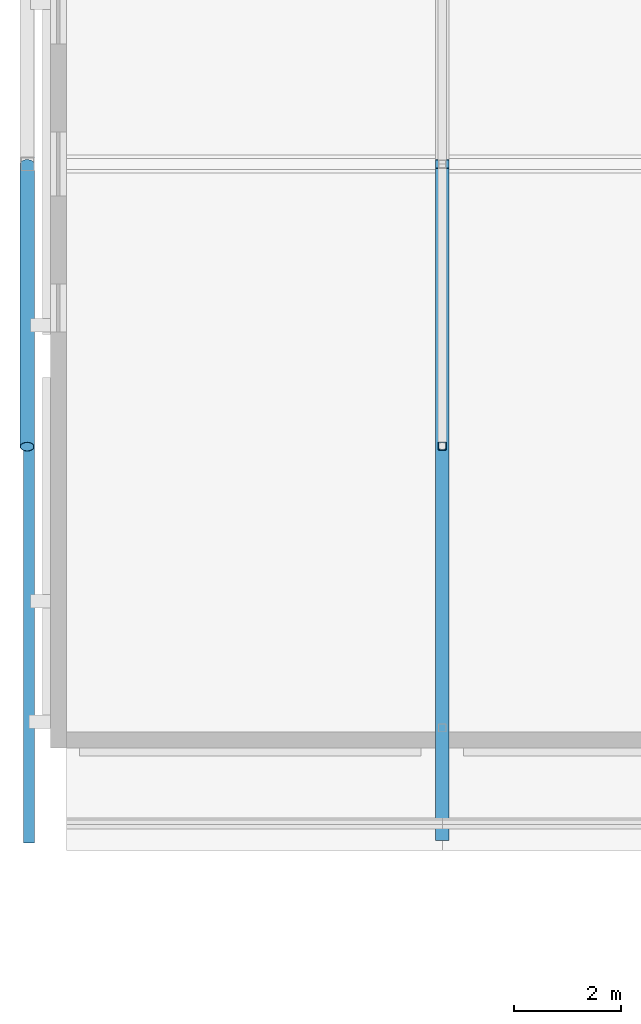
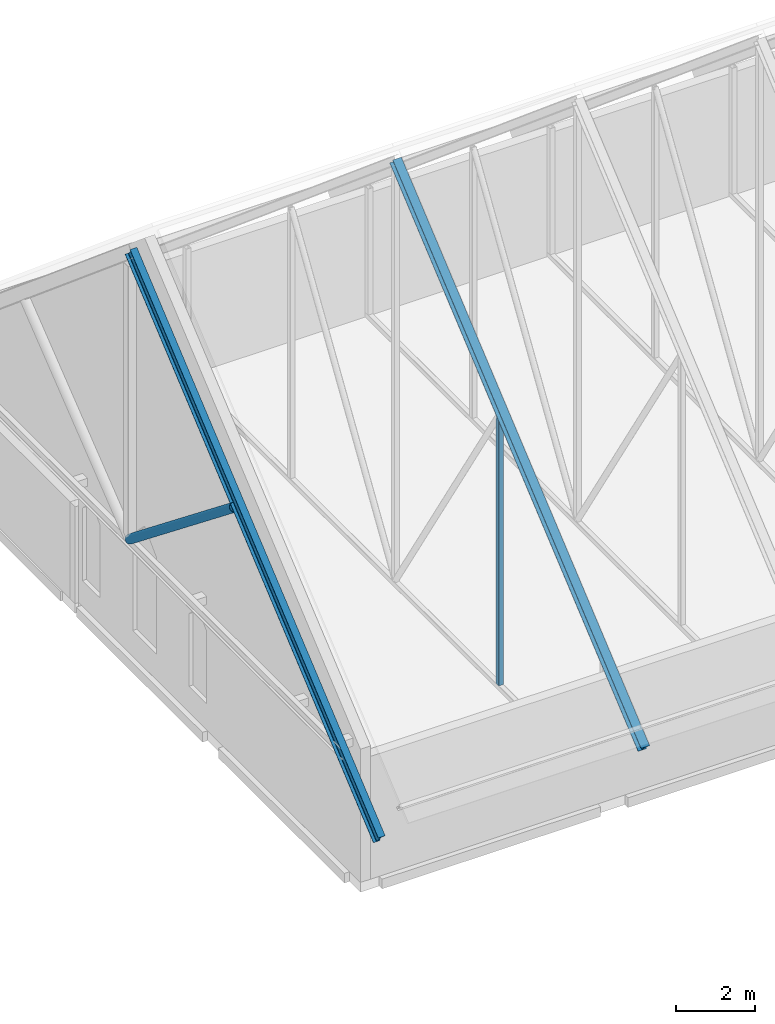
# One storey, part 3 of 29: 4 members.
"""IFC4 building model written with IfcOpenShell, lengths in metres."""

from ifc_helpers import new_model, si_unit, direction, frame, origin, origin_2d, place, context, subcontext, project, spatial, hollow_rectangle, hollow_circle, i_section, extrude, material, material_profile, profile_set, type_object, element, save


model = new_model("IFC4")

# Units and contexts
model_context = context("Model", 3, precision=1e-05, world=origin(), true_north=direction((0.0, 1.0)))
body_context = subcontext(model_context, "Body", "Model", "MODEL_VIEW")
ifc_project = project(units=[si_unit("LENGTHUNIT", "METRE"), si_unit("AREAUNIT", "SQUARE_METRE"), si_unit("VOLUMEUNIT", "CUBIC_METRE"), si_unit("PLANEANGLEUNIT", "RADIAN"), si_unit("MASSUNIT", "GRAM", prefix="KILO")], contexts=[model_context])

# Site, building, storey
site_placement = place(None, origin())
site = spatial("IfcSite", under=ifc_project, at=site_placement, CompositionType="ELEMENT")
building_placement = place(site_placement, origin())
building = spatial("IfcBuilding", under=site, at=building_placement, Name="Silangan Lancet Faculty of Sciences", CompositionType="ELEMENT")
storey_placement = place(building_placement, frame((0.0, 0.0, 54.300048828125)))
storey = spatial("IfcBuildingStorey", under=building, at=storey_placement, Name="L11", CompositionType="ELEMENT", Elevation=54.300048828125)

# Members
ifc_material_1 = material(Name="Steel SS400", Category="steel")
ifc_material_profile_1 = material_profile(ifc_material_1, i_section(OverallWidth=0.199951171875, OverallDepth=0.39990234375, WebThickness=0.008056640625, FlangeThickness=0.012939453125, FilletRadius=0.01611328125, at=origin_2d()), Name="H 400x200x8x13")
ifc_profile_set_1 = profile_set([ifc_material_profile_1], Name="Steel SS400")
member_type_1 = type_object("IfcMemberType", Name="Gable truss rafter H 400x200x8x13", PredefinedType="RAFTER", material=ifc_profile_set_1)
member_1_placement = place(storey_placement, frame((-0.550048828125, 34.199951171875, 2.479248046875), z_axis=(0.0, 0.765707787529, 0.643188606955), x_axis=(-1.0, 0.0, 0.0)))
element("IfcMember", 1, at=member_1_placement, inside=storey, type_object=member_type_1, Name="Gable truss rafter A", PredefinedType="RAFTER", context=body_context, shape_type="SweptSolid", body=[
    extrude(i_section(OverallWidth=0.199951171875, OverallDepth=0.39990234375, WebThickness=0.008056640625, FlangeThickness=0.012939453125, FilletRadius=0.01611328125, at=origin_2d()), origin(), (0.0, 0.0, 1.0), 16.45556640625),
])
ifc_material_2 = material(Name="Steel STK400", Category="steel")
ifc_material_profile_2 = material_profile(ifc_material_2, hollow_circle(Radius=0.1337890625, WallThickness=0.008056640625, at=origin_2d()), Name="CHS 267.4x8.0")
ifc_profile_set_2 = profile_set([ifc_material_profile_2], Name="Steel STK400")
member_type_2 = type_object("IfcMemberType", Name="Gable truss strut CHS 267.4x8.0", PredefinedType="BRACE", material=ifc_profile_set_2)
member_2_placement = place(storey_placement, frame((-0.583740234375, 46.800048828125, 4.14990234375), z_axis=(0.0, -0.78373460295, 0.621095863888), x_axis=(1.0, 0.0, 0.0)))
element("IfcMember", 2, at=member_2_placement, inside=storey, type_object=member_type_2, Name="Gable truss strut A", PredefinedType="BRACE", context=body_context, shape_type="SweptSolid", body=[
    extrude(hollow_circle(Radius=0.1337890625, WallThickness=0.008056640625, at=origin_2d()), origin(), (0.0, 0.0, 1.0), 6.762451171875),
])
ifc_material_3 = material(Name="Steel STKR400", Category="steel")
ifc_material_profile_3 = material_profile(ifc_material_3, hollow_rectangle(XDim=0.14990234375, YDim=0.14990234375, WallThickness=0.006103515625, InnerFilletRadius=0.006103515625, OuterFilletRadius=0.011962890625, at=origin_2d()), Name="SHS 150x150x6.0")
ifc_profile_set_3 = profile_set([ifc_material_profile_3], Name="Steel STKR400")
member_type_3 = type_object("IfcMemberType", Name="Truss post SHS 150x150x6.0", PredefinedType="POST", material=ifc_profile_set_3)
member_3_placement = place(storey_placement, frame((7.199951171875, 41.512451171875, 0.14990234375), z_axis=(0.0, 0.0, 1.0), x_axis=(1.0, 0.0, 0.0)))
element("IfcMember", 3, at=member_3_placement, inside=storey, type_object=member_type_3, Name="Gable truss 1 mid post S", PredefinedType="POST", context=body_context, shape_type="SweptSolid", body=[
    extrude(hollow_rectangle(XDim=0.14990234375, YDim=0.14990234375, WallThickness=0.006103515625, InnerFilletRadius=0.006103515625, OuterFilletRadius=0.011962890625, at=origin_2d()), origin(), (0.0, 0.0, 1.0), 8.343505859375),
])
ifc_material_4 = material(Name="Steel SS400", Category="steel")
ifc_material_profile_4 = material_profile(ifc_material_4, i_section(OverallWidth=0.25, OverallDepth=0.25, WebThickness=0.009033203125, FlangeThickness=0.013916015625, FilletRadius=0.01611328125, at=origin_2d()), Name="H 250x250x9x14")
ifc_profile_set_4 = profile_set([ifc_material_profile_4], Name="Steel SS400")
member_type_4 = type_object("IfcMemberType", Name="Truss top chord H 250x250x9x14", PredefinedType="CHORD", material=ifc_profile_set_4)
member_4_placement = place(storey_placement, frame((7.199951171875, 34.199951171875, 2.5771484375), z_axis=(0.0, 0.765707787529, 0.643188606955), x_axis=(-1.0, 0.0, 0.0)))
element("IfcMember", 4, at=member_4_placement, inside=storey, type_object=member_type_4, Name="Gable truss 1 rafter S", PredefinedType="CHORD", context=body_context, shape_type="SweptSolid", body=[
    extrude(i_section(OverallWidth=0.25, OverallDepth=0.25, WebThickness=0.009033203125, FlangeThickness=0.013916015625, FilletRadius=0.01611328125, at=origin_2d()), origin(), (0.0, 0.0, 1.0), 16.45556640625),
])

save(model, "model.ifc")
